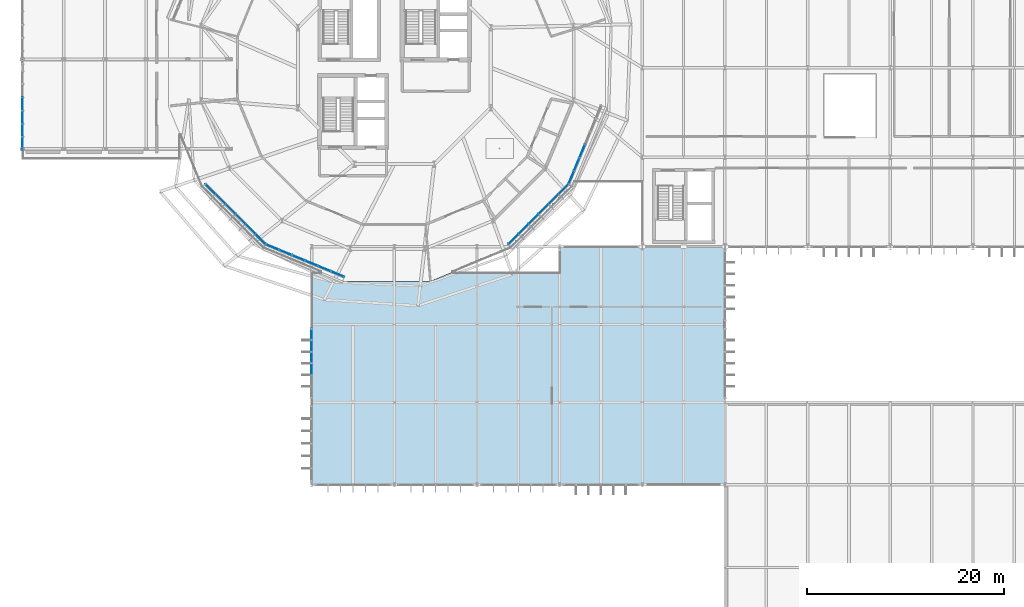
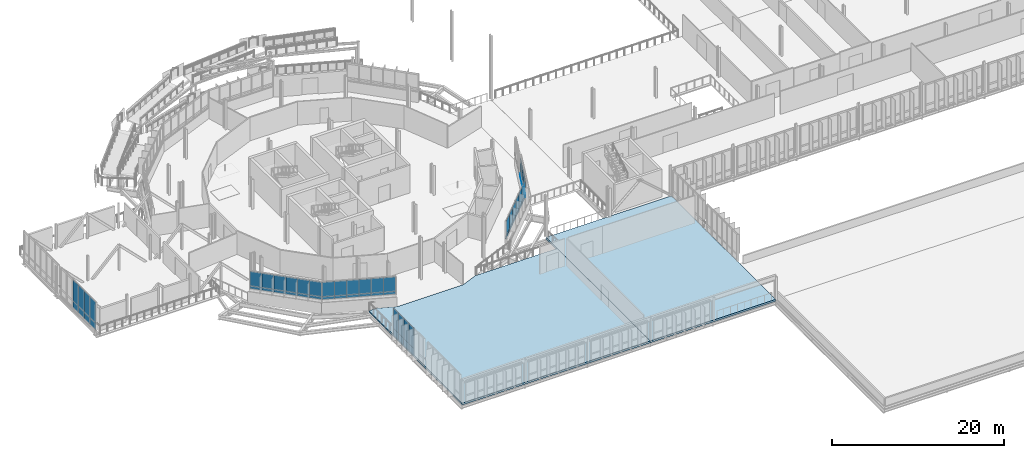
# One storey, part 74 of 107: 58 plates, 2 slabs, 6 elements without a shape of their own.
"""IFC4 building model written with IfcOpenShell, lengths in metres."""

from ifc_helpers import new_model, si_unit, derived_unit, direction, frame, origin, origin_2d, place, context, subcontext, project, spatial, polyline, rectangle, outline, extrude, material, layer, layer_set, type_object, element, aggregate, save


model = new_model("IFC4")

# Units and contexts
model_context = context("Model", 3, precision=1e-05, world=origin(), true_north=direction((0.0, 1.0)))
body_context = subcontext(model_context, "Body", "Model", "MODEL_VIEW")
ifc_project = project(units=[si_unit("LENGTHUNIT", "METRE"), si_unit("AREAUNIT", "SQUARE_METRE"), si_unit("VOLUMEUNIT", "CUBIC_METRE"), si_unit("PLANEANGLEUNIT", "RADIAN"), si_unit("MASSUNIT", "GRAM", prefix="KILO"), derived_unit("THERMALTRANSMITTANCEUNIT", [(si_unit("MASSUNIT", "GRAM", prefix="KILO"), 1), (si_unit("TIMEUNIT", "SECOND"), -3), (si_unit("THERMODYNAMICTEMPERATUREUNIT", "KELVIN"), -1)])], contexts=[model_context])

# Site, building, storey
site_placement = place(None, origin())
site = spatial("IfcSite", under=ifc_project, at=site_placement, CompositionType="ELEMENT")
building_placement = place(site_placement, origin())
building = spatial("IfcBuilding", under=site, at=building_placement, Name="Makaiwela Harbour Ferry Terminal", CompositionType="ELEMENT")
storey_placement = place(building_placement, frame((0.0, 0.0, 9.60009765625)))
storey = spatial("IfcBuildingStorey", under=building, at=storey_placement, Name="L02", CompositionType="ELEMENT", Elevation=9.60009765625)

# Curtain wall, plates
ifc_material_1 = material(Name="Marine anodised aluminium 6063-T6", Category="aluminium")
ifc_layer_1 = layer(ifc_material_1, 0.199951171875)
ifc_layer_set_1 = layer_set([ifc_layer_1], Name="Marine anodised aluminium 6063-T6")
curtain_wall_type_1 = type_object("IfcCurtainWallType", Name="ENV-CW-04", PredefinedType="USERDEFINED", material=ifc_layer_set_1)
curtain_wall_1_placement = place(storey_placement, origin())
curtain_wall_1 = element("IfcCurtainWall", 1, at=curtain_wall_1_placement, inside=storey, type_object=curtain_wall_type_1, Name="Unitised Curtain Wall CWA-025", ObjectType="UNITIZED CURTAIN WALL", PredefinedType="USERDEFINED")
ifc_material_2 = material(Name="Laminated hurricane-impact low-E insulated glazing", Category="glass")
ifc_layer_2 = layer(ifc_material_2, 0.031982421875)
ifc_layer_set_2 = layer_set([ifc_layer_2], Name="Laminated hurricane-impact low-E insulated glazing")
plate_type_1 = type_object("IfcPlateType", Name="CW-PNL-G06", PredefinedType="CURTAIN_PANEL", material=ifc_layer_set_2)
plate_1_placement = place(storey_placement, frame((19.119384765625, 55.248291015625, 1.89990234375), z_axis=(0.0, 0.0, 1.0), x_axis=(0.707106781187, -0.707106781187, 0.0)))
plate_1 = element("IfcPlate", 2, at=plate_1_placement, type_object=plate_type_1, Name="Glazed Vision Panel CWA-025-1G", PredefinedType="CURTAIN_PANEL", context=body_context, shape_type="SweptSolid", body=[
    extrude(rectangle(XDim=1.43359375, YDim=0.031982421875, at=origin_2d()), origin(), (0.0, 0.0, 1.0), 2.06005859375),
])
plate_2_placement = place(storey_placement, frame((20.13330078125, 54.234619140625, 1.89990234375), z_axis=(0.0, 0.0, 1.0), x_axis=(0.707106781187, -0.707106781187, 0.0)))
plate_2 = element("IfcPlate", 3, at=plate_2_placement, type_object=plate_type_1, Name="Glazed Vision Panel CWA-025-2G", PredefinedType="CURTAIN_PANEL", context=body_context, shape_type="SweptSolid", body=[
    extrude(rectangle(XDim=1.43359375, YDim=0.031982421875, at=origin_2d()), origin(), (0.0, 0.0, 1.0), 2.06005859375),
])
plate_3_placement = place(storey_placement, frame((21.14697265625, 53.220703125, 1.89990234375), z_axis=(0.0, 0.0, 1.0), x_axis=(0.707106781187, -0.707106781187, 0.0)))
plate_3 = element("IfcPlate", 4, at=plate_3_placement, type_object=plate_type_1, Name="Glazed Vision Panel CWA-025-3G", PredefinedType="CURTAIN_PANEL", context=body_context, shape_type="SweptSolid", body=[
    extrude(rectangle(XDim=1.43359375, YDim=0.031982421875, at=origin_2d()), origin(), (0.0, 0.0, 1.0), 2.06005859375),
])
plate_4_placement = place(storey_placement, frame((22.16064453125, 52.20703125, 1.89990234375), z_axis=(0.0, 0.0, 1.0), x_axis=(0.707106781187, -0.707106781187, 0.0)))
plate_4 = element("IfcPlate", 5, at=plate_4_placement, type_object=plate_type_1, Name="Glazed Vision Panel CWA-025-4G", PredefinedType="CURTAIN_PANEL", context=body_context, shape_type="SweptSolid", body=[
    extrude(rectangle(XDim=1.43359375, YDim=0.031982421875, at=origin_2d()), origin(), (0.0, 0.0, 1.0), 2.06005859375),
])
plate_5_placement = place(storey_placement, frame((23.174560546875, 51.193115234375, 1.89990234375), z_axis=(0.0, 0.0, 1.0), x_axis=(0.707106781187, -0.707106781187, 0.0)))
plate_5 = element("IfcPlate", 6, at=plate_5_placement, type_object=plate_type_1, Name="Glazed Vision Panel CWA-025-5G", PredefinedType="CURTAIN_PANEL", context=body_context, shape_type="SweptSolid", body=[
    extrude(rectangle(XDim=1.43359375, YDim=0.031982421875, at=origin_2d()), origin(), (0.0, 0.0, 1.0), 2.06005859375),
])
plate_6_placement = place(storey_placement, frame((24.188232421875, 50.179443359375, 1.89990234375), z_axis=(0.0, 0.0, 1.0), x_axis=(0.707106781187, -0.707106781187, 0.0)))
plate_6 = element("IfcPlate", 7, at=plate_6_placement, type_object=plate_type_1, Name="Glazed Vision Panel CWA-025-6G", PredefinedType="CURTAIN_PANEL", context=body_context, shape_type="SweptSolid", body=[
    extrude(rectangle(XDim=1.43359375, YDim=0.031982421875, at=origin_2d()), origin(), (0.0, 0.0, 1.0), 2.06005859375),
])

curtain_wall_2_placement = place(storey_placement, origin())
curtain_wall_2 = element("IfcCurtainWall", 8, at=curtain_wall_2_placement, inside=storey, type_object=curtain_wall_type_1, Name="Unitised Curtain Wall CWA-026", ObjectType="UNITIZED CURTAIN WALL", PredefinedType="USERDEFINED")
plate_7_placement = place(storey_placement, frame((25.40625, 49.365478515625, 1.89990234375), z_axis=(0.0, 0.0, 1.0), x_axis=(0.923879532511, -0.382683432365, 0.0)))
plate_7 = element("IfcPlate", 9, at=plate_7_placement, type_object=plate_type_1, Name="Glazed Vision Panel CWA-026-1G", PredefinedType="CURTAIN_PANEL", context=body_context, shape_type="SweptSolid", body=[
    extrude(rectangle(XDim=1.43359375, YDim=0.031982421875, at=origin_2d()), origin(), (0.0, 0.0, 1.0), 2.06005859375),
])
plate_8_placement = place(storey_placement, frame((26.730712890625, 48.81689453125, 1.89990234375), z_axis=(0.0, 0.0, 1.0), x_axis=(0.923879532511, -0.382683432365, 0.0)))
plate_8 = element("IfcPlate", 10, at=plate_8_placement, type_object=plate_type_1, Name="Glazed Vision Panel CWA-026-2G", PredefinedType="CURTAIN_PANEL", context=body_context, shape_type="SweptSolid", body=[
    extrude(rectangle(XDim=1.43359375, YDim=0.031982421875, at=origin_2d()), origin(), (0.0, 0.0, 1.0), 2.06005859375),
])
plate_9_placement = place(storey_placement, frame((28.055419921875, 48.268310546875, 1.89990234375), z_axis=(0.0, 0.0, 1.0), x_axis=(0.923879532511, -0.382683432365, 0.0)))
plate_9 = element("IfcPlate", 11, at=plate_9_placement, type_object=plate_type_1, Name="Glazed Vision Panel CWA-026-3G", PredefinedType="CURTAIN_PANEL", context=body_context, shape_type="SweptSolid", body=[
    extrude(rectangle(XDim=1.43359375, YDim=0.031982421875, at=origin_2d()), origin(), (0.0, 0.0, 1.0), 2.06005859375),
])
plate_10_placement = place(storey_placement, frame((29.3798828125, 47.7197265625, 1.89990234375), z_axis=(0.0, 0.0, 1.0), x_axis=(0.923879532511, -0.382683432365, 0.0)))
plate_10 = element("IfcPlate", 12, at=plate_10_placement, type_object=plate_type_1, Name="Glazed Vision Panel CWA-026-4G", PredefinedType="CURTAIN_PANEL", context=body_context, shape_type="SweptSolid", body=[
    extrude(rectangle(XDim=1.43359375, YDim=0.031982421875, at=origin_2d()), origin(), (0.0, 0.0, 1.0), 2.06005859375),
])
plate_11_placement = place(storey_placement, frame((30.70458984375, 47.171142578125, 1.89990234375), z_axis=(0.0, 0.0, 1.0), x_axis=(0.923879532511, -0.382683432365, 0.0)))
plate_11 = element("IfcPlate", 13, at=plate_11_placement, type_object=plate_type_1, Name="Glazed Vision Panel CWA-026-5G", PredefinedType="CURTAIN_PANEL", context=body_context, shape_type="SweptSolid", body=[
    extrude(rectangle(XDim=1.43359375, YDim=0.031982421875, at=origin_2d()), origin(), (0.0, 0.0, 1.0), 2.06005859375),
])
plate_12_placement = place(storey_placement, frame((32.029052734375, 46.622314453125, 1.89990234375), z_axis=(0.0, 0.0, 1.0), x_axis=(0.923879532511, -0.382683432365, 0.0)))
plate_12 = element("IfcPlate", 14, at=plate_12_placement, type_object=plate_type_1, Name="Glazed Vision Panel CWA-026-6G", PredefinedType="CURTAIN_PANEL", context=body_context, shape_type="SweptSolid", body=[
    extrude(rectangle(XDim=1.43359375, YDim=0.031982421875, at=origin_2d()), origin(), (0.0, 0.0, 1.0), 2.06005859375),
])

curtain_wall_3_placement = place(storey_placement, origin())
curtain_wall_3 = element("IfcCurtainWall", 15, at=curtain_wall_3_placement, inside=storey, type_object=curtain_wall_type_1, Name="Unitised Curtain Wall CWA-027", ObjectType="UNITIZED CURTAIN WALL", PredefinedType="USERDEFINED")
plate_13_placement = place(storey_placement, frame((49.911865234375, 50.179443359375, 1.89990234375), z_axis=(0.0, 0.0, 1.0), x_axis=(0.707106781187, 0.707106781187, 0.0)))
plate_13 = element("IfcPlate", 16, at=plate_13_placement, type_object=plate_type_1, Name="Glazed Vision Panel CWA-027-1G", PredefinedType="CURTAIN_PANEL", context=body_context, shape_type="SweptSolid", body=[
    extrude(rectangle(XDim=1.43359375, YDim=0.031982421875, at=origin_2d()), origin(), (0.0, 0.0, 1.0), 2.06005859375),
])
plate_14_placement = place(storey_placement, frame((50.925537109375, 51.193115234375, 1.89990234375), z_axis=(0.0, 0.0, 1.0), x_axis=(0.707106781187, 0.707106781187, 0.0)))
plate_14 = element("IfcPlate", 17, at=plate_14_placement, type_object=plate_type_1, Name="Glazed Vision Panel CWA-027-2G", PredefinedType="CURTAIN_PANEL", context=body_context, shape_type="SweptSolid", body=[
    extrude(rectangle(XDim=1.43359375, YDim=0.031982421875, at=origin_2d()), origin(), (0.0, 0.0, 1.0), 2.06005859375),
])
plate_15_placement = place(storey_placement, frame((51.939208984375, 52.20703125, 1.89990234375), z_axis=(0.0, 0.0, 1.0), x_axis=(0.707106781187, 0.707106781187, 0.0)))
plate_15 = element("IfcPlate", 18, at=plate_15_placement, type_object=plate_type_1, Name="Glazed Vision Panel CWA-027-3G", PredefinedType="CURTAIN_PANEL", context=body_context, shape_type="SweptSolid", body=[
    extrude(rectangle(XDim=1.43359375, YDim=0.031982421875, at=origin_2d()), origin(), (0.0, 0.0, 1.0), 2.06005859375),
])
plate_16_placement = place(storey_placement, frame((52.952880859375, 53.220703125, 1.89990234375), z_axis=(0.0, 0.0, 1.0), x_axis=(0.707106781187, 0.707106781187, 0.0)))
plate_16 = element("IfcPlate", 19, at=plate_16_placement, type_object=plate_type_1, Name="Glazed Vision Panel CWA-027-4G", PredefinedType="CURTAIN_PANEL", context=body_context, shape_type="SweptSolid", body=[
    extrude(rectangle(XDim=1.43359375, YDim=0.031982421875, at=origin_2d()), origin(), (0.0, 0.0, 1.0), 2.06005859375),
])
plate_17_placement = place(storey_placement, frame((53.966796875, 54.234619140625, 1.89990234375), z_axis=(0.0, 0.0, 1.0), x_axis=(0.707106781187, 0.707106781187, 0.0)))
plate_17 = element("IfcPlate", 20, at=plate_17_placement, type_object=plate_type_1, Name="Glazed Vision Panel CWA-027-5G", PredefinedType="CURTAIN_PANEL", context=body_context, shape_type="SweptSolid", body=[
    extrude(rectangle(XDim=1.43359375, YDim=0.031982421875, at=origin_2d()), origin(), (0.0, 0.0, 1.0), 2.06005859375),
])
plate_18_placement = place(storey_placement, frame((54.98046875, 55.248291015625, 1.89990234375), z_axis=(0.0, 0.0, 1.0), x_axis=(0.707106781187, 0.707106781187, 0.0)))
plate_18 = element("IfcPlate", 21, at=plate_18_placement, type_object=plate_type_1, Name="Glazed Vision Panel CWA-027-6G", PredefinedType="CURTAIN_PANEL", context=body_context, shape_type="SweptSolid", body=[
    extrude(rectangle(XDim=1.43359375, YDim=0.031982421875, at=origin_2d()), origin(), (0.0, 0.0, 1.0), 2.06005859375),
])

curtain_wall_4_placement = place(storey_placement, origin())
curtain_wall_4 = element("IfcCurtainWall", 22, at=curtain_wall_4_placement, inside=storey, type_object=curtain_wall_type_1, Name="Unitised Curtain Wall CWA-028", ObjectType="UNITIZED CURTAIN WALL", PredefinedType="USERDEFINED")
plate_19_placement = place(storey_placement, frame((55.79443359375, 56.46630859375, 1.89990234375), z_axis=(0.0, 0.0, 1.0), x_axis=(0.382683432365, 0.923879532511, 0.0)))
plate_19 = element("IfcPlate", 23, at=plate_19_placement, type_object=plate_type_1, Name="Glazed Vision Panel CWA-028-1G", PredefinedType="CURTAIN_PANEL", context=body_context, shape_type="SweptSolid", body=[
    extrude(rectangle(XDim=1.43359375, YDim=0.031982421875, at=origin_2d()), origin(), (0.0, 0.0, 1.0), 2.06005859375),
])
plate_20_placement = place(storey_placement, frame((56.343017578125, 57.790771484375, 1.89990234375), z_axis=(0.0, 0.0, 1.0), x_axis=(0.382683432365, 0.923879532511, 0.0)))
plate_20 = element("IfcPlate", 24, at=plate_20_placement, type_object=plate_type_1, Name="Glazed Vision Panel CWA-028-2G", PredefinedType="CURTAIN_PANEL", context=body_context, shape_type="SweptSolid", body=[
    extrude(rectangle(XDim=1.43359375, YDim=0.031982421875, at=origin_2d()), origin(), (0.0, 0.0, 1.0), 2.06005859375),
])
plate_21_placement = place(storey_placement, frame((56.8916015625, 59.115478515625, 1.89990234375), z_axis=(0.0, 0.0, 1.0), x_axis=(0.382683432365, 0.923879532511, 0.0)))
plate_21 = element("IfcPlate", 25, at=plate_21_placement, type_object=plate_type_1, Name="Glazed Vision Panel CWA-028-3G", PredefinedType="CURTAIN_PANEL", context=body_context, shape_type="SweptSolid", body=[
    extrude(rectangle(XDim=1.43359375, YDim=0.031982421875, at=origin_2d()), origin(), (0.0, 0.0, 1.0), 2.06005859375),
])

ifc_layer_3 = layer(ifc_material_1, 0.199951171875)
ifc_layer_set_3 = layer_set([ifc_layer_3], Name="Marine anodised aluminium 6063-T6")
curtain_wall_type_2 = type_object("IfcCurtainWallType", Name="ENV-CW-14", PredefinedType="USERDEFINED", material=ifc_layer_set_3)
curtain_wall_5_placement = place(storey_placement, origin())
curtain_wall_5 = element("IfcCurtainWall", 26, at=curtain_wall_5_placement, inside=storey, type_object=curtain_wall_type_2, Name="Unitised Curtain Wall CWA-119", ObjectType="UNITIZED CURTAIN WALL", PredefinedType="USERDEFINED")
ifc_layer_4 = layer(ifc_material_2, 0.031982421875)
ifc_layer_set_4 = layer_set([ifc_layer_4], Name="Laminated hurricane-impact low-E insulated glazing")
plate_type_2 = type_object("IfcPlateType", Name="CW-PNL-G19", PredefinedType="CURTAIN_PANEL", material=ifc_layer_set_4)
plate_22_placement = place(storey_placement, frame((29.39990234375, 36.961669921875, 0.949951171875), z_axis=(0.0, 0.0, 1.0), x_axis=(0.0, 1.0, 0.0)))
plate_22 = element("IfcPlate", 27, at=plate_22_placement, type_object=plate_type_2, Name="Glazed Vision Panel CWA-119-3G", PredefinedType="CURTAIN_PANEL", context=body_context, shape_type="SweptSolid", body=[
    extrude(rectangle(XDim=1.1767578125, YDim=0.031982421875, at=origin_2d()), origin(), (0.0, 0.0, 1.0), 2.89990234375),
])
plate_23_placement = place(storey_placement, frame((29.39990234375, 38.13818359375, 0.949951171875), z_axis=(0.0, 0.0, 1.0), x_axis=(0.0, 1.0, 0.0)))
plate_23 = element("IfcPlate", 28, at=plate_23_placement, type_object=plate_type_2, Name="Glazed Vision Panel CWA-119-4G", PredefinedType="CURTAIN_PANEL", context=body_context, shape_type="SweptSolid", body=[
    extrude(rectangle(XDim=1.1767578125, YDim=0.031982421875, at=origin_2d()), origin(), (0.0, 0.0, 1.0), 2.89990234375),
])
plate_24_placement = place(storey_placement, frame((29.39990234375, 39.31494140625, 0.949951171875), z_axis=(0.0, 0.0, 1.0), x_axis=(0.0, 1.0, 0.0)))
plate_24 = element("IfcPlate", 29, at=plate_24_placement, type_object=plate_type_2, Name="Glazed Vision Panel CWA-119-5G", PredefinedType="CURTAIN_PANEL", context=body_context, shape_type="SweptSolid", body=[
    extrude(rectangle(XDim=1.1767578125, YDim=0.031982421875, at=origin_2d()), origin(), (0.0, 0.0, 1.0), 2.89990234375),
])
plate_25_placement = place(storey_placement, frame((29.39990234375, 40.49169921875, 0.949951171875), z_axis=(0.0, 0.0, 1.0), x_axis=(0.0, 1.0, 0.0)))
plate_25 = element("IfcPlate", 30, at=plate_25_placement, type_object=plate_type_2, Name="Glazed Vision Panel CWA-119-6G", PredefinedType="CURTAIN_PANEL", context=body_context, shape_type="SweptSolid", body=[
    extrude(rectangle(XDim=1.1767578125, YDim=0.031982421875, at=origin_2d()), origin(), (0.0, 0.0, 1.0), 2.89990234375),
])

ifc_layer_5 = layer(ifc_material_1, 0.199951171875)
ifc_layer_set_5 = layer_set([ifc_layer_5], Name="Marine anodised aluminium 6063-T6")
curtain_wall_type_3 = type_object("IfcCurtainWallType", Name="ENV-CW-23", PredefinedType="USERDEFINED", material=ifc_layer_set_5)
curtain_wall_6_placement = place(storey_placement, origin())
curtain_wall_6 = element("IfcCurtainWall", 31, at=curtain_wall_6_placement, inside=storey, type_object=curtain_wall_type_3, Name="Unitised Curtain Wall CWA-138", ObjectType="UNITIZED CURTAIN WALL", PredefinedType="USERDEFINED")
ifc_layer_6 = layer(ifc_material_2, 0.031982421875)
ifc_layer_set_6 = layer_set([ifc_layer_6], Name="Laminated hurricane-impact low-E insulated glazing")
plate_type_3 = type_object("IfcPlateType", Name="CW-PNL-G29", PredefinedType="CURTAIN_PANEL", material=ifc_layer_set_6)
plate_26_placement = place(storey_placement, frame((0.0, 59.8974609375, 0.949951171875), z_axis=(0.0, 0.0, 1.0), x_axis=(0.0, 1.0, 0.0)))
plate_26 = element("IfcPlate", 32, at=plate_26_placement, type_object=plate_type_3, Name="Glazed Vision Panel CWA-138-1G", PredefinedType="CURTAIN_PANEL", context=body_context, shape_type="SweptSolid", body=[
    extrude(rectangle(XDim=1.3349609375, YDim=0.031982421875, at=origin_2d()), origin(), (0.0, 0.0, 1.0), 3.0),
])
plate_27_placement = place(storey_placement, frame((0.0, 61.232421875, 0.949951171875), z_axis=(0.0, 0.0, 1.0), x_axis=(0.0, 1.0, 0.0)))
plate_27 = element("IfcPlate", 33, at=plate_27_placement, type_object=plate_type_3, Name="Glazed Vision Panel CWA-138-2G", PredefinedType="CURTAIN_PANEL", context=body_context, shape_type="SweptSolid", body=[
    extrude(rectangle(XDim=1.3349609375, YDim=0.031982421875, at=origin_2d()), origin(), (0.0, 0.0, 1.0), 3.0),
])
plate_28_placement = place(storey_placement, frame((0.0, 62.5673828125, 0.949951171875), z_axis=(0.0, 0.0, 1.0), x_axis=(0.0, 1.0, 0.0)))
plate_28 = element("IfcPlate", 34, at=plate_28_placement, type_object=plate_type_3, Name="Glazed Vision Panel CWA-138-3G", PredefinedType="CURTAIN_PANEL", context=body_context, shape_type="SweptSolid", body=[
    extrude(rectangle(XDim=1.3349609375, YDim=0.031982421875, at=origin_2d()), origin(), (0.0, 0.0, 1.0), 3.0),
])
plate_29_placement = place(storey_placement, frame((0.0, 63.902587890625, 0.949951171875), z_axis=(0.0, 0.0, 1.0), x_axis=(0.0, 1.0, 0.0)))
plate_29 = element("IfcPlate", 35, at=plate_29_placement, type_object=plate_type_3, Name="Glazed Vision Panel CWA-138-4G", PredefinedType="CURTAIN_PANEL", context=body_context, shape_type="SweptSolid", body=[
    extrude(rectangle(XDim=1.3349609375, YDim=0.031982421875, at=origin_2d()), origin(), (0.0, 0.0, 1.0), 3.0),
])

# Plate
ifc_material_3 = material(Name="Insulated marine aluminium spandrel panel", Category="aluminium")
ifc_layer_7 = layer(ifc_material_3, 0.048095703125)
ifc_layer_set_7 = layer_set([ifc_layer_7], Name="Insulated marine aluminium spandrel panel")
plate_type_4 = type_object("IfcPlateType", Name="CW-PNL-S04", PredefinedType="CURTAIN_PANEL", material=ifc_layer_set_7)
plate_30_placement = place(storey_placement, frame((19.119384765625, 55.248291015625, 1.47998046875), z_axis=(0.0, 0.0, 1.0), x_axis=(0.707106781187, -0.707106781187, 0.0)))
plate_30 = element("IfcPlate", 36, at=plate_30_placement, type_object=plate_type_4, Name="Spandrel Panel CWA-025-1S", PredefinedType="CURTAIN_PANEL", context=body_context, shape_type="SweptSolid", body=[
    extrude(rectangle(XDim=1.43359375, YDim=0.048095703125, at=origin_2d()), origin(), (0.0, 0.0, 1.0), 0.419921875),
])

plate_31_placement = place(storey_placement, frame((20.13330078125, 54.234619140625, 1.47998046875), z_axis=(0.0, 0.0, 1.0), x_axis=(0.707106781187, -0.707106781187, 0.0)))
plate_31 = element("IfcPlate", 37, at=plate_31_placement, type_object=plate_type_4, Name="Spandrel Panel CWA-025-2S", PredefinedType="CURTAIN_PANEL", context=body_context, shape_type="SweptSolid", body=[
    extrude(rectangle(XDim=1.43359375, YDim=0.048095703125, at=origin_2d()), origin(), (0.0, 0.0, 1.0), 0.419921875),
])

plate_32_placement = place(storey_placement, frame((21.14697265625, 53.220703125, 1.47998046875), z_axis=(0.0, 0.0, 1.0), x_axis=(0.707106781187, -0.707106781187, 0.0)))
plate_32 = element("IfcPlate", 38, at=plate_32_placement, type_object=plate_type_4, Name="Spandrel Panel CWA-025-3S", PredefinedType="CURTAIN_PANEL", context=body_context, shape_type="SweptSolid", body=[
    extrude(rectangle(XDim=1.43359375, YDim=0.048095703125, at=origin_2d()), origin(), (0.0, 0.0, 1.0), 0.419921875),
])

plate_33_placement = place(storey_placement, frame((22.16064453125, 52.20703125, 1.47998046875), z_axis=(0.0, 0.0, 1.0), x_axis=(0.707106781187, -0.707106781187, 0.0)))
plate_33 = element("IfcPlate", 39, at=plate_33_placement, type_object=plate_type_4, Name="Spandrel Panel CWA-025-4S", PredefinedType="CURTAIN_PANEL", context=body_context, shape_type="SweptSolid", body=[
    extrude(rectangle(XDim=1.43359375, YDim=0.048095703125, at=origin_2d()), origin(), (0.0, 0.0, 1.0), 0.419921875),
])

plate_34_placement = place(storey_placement, frame((23.174560546875, 51.193115234375, 1.47998046875), z_axis=(0.0, 0.0, 1.0), x_axis=(0.707106781187, -0.707106781187, 0.0)))
plate_34 = element("IfcPlate", 40, at=plate_34_placement, type_object=plate_type_4, Name="Spandrel Panel CWA-025-5S", PredefinedType="CURTAIN_PANEL", context=body_context, shape_type="SweptSolid", body=[
    extrude(rectangle(XDim=1.43359375, YDim=0.048095703125, at=origin_2d()), origin(), (0.0, 0.0, 1.0), 0.419921875),
])

plate_35_placement = place(storey_placement, frame((24.188232421875, 50.179443359375, 1.47998046875), z_axis=(0.0, 0.0, 1.0), x_axis=(0.707106781187, -0.707106781187, 0.0)))
plate_35 = element("IfcPlate", 41, at=plate_35_placement, type_object=plate_type_4, Name="Spandrel Panel CWA-025-6S", PredefinedType="CURTAIN_PANEL", context=body_context, shape_type="SweptSolid", body=[
    extrude(rectangle(XDim=1.43359375, YDim=0.048095703125, at=origin_2d()), origin(), (0.0, 0.0, 1.0), 0.419921875),
])

aggregate(curtain_wall_1, [plate_30, plate_1, plate_31, plate_2, plate_32, plate_3, plate_33, plate_4, plate_34, plate_5, plate_35, plate_6])

plate_36_placement = place(storey_placement, frame((25.40625, 49.365478515625, 1.47998046875), z_axis=(0.0, 0.0, 1.0), x_axis=(0.923879532511, -0.382683432365, 0.0)))
plate_36 = element("IfcPlate", 42, at=plate_36_placement, type_object=plate_type_4, Name="Spandrel Panel CWA-026-1S", PredefinedType="CURTAIN_PANEL", context=body_context, shape_type="SweptSolid", body=[
    extrude(rectangle(XDim=1.43359375, YDim=0.048095703125, at=origin_2d()), origin(), (0.0, 0.0, 1.0), 0.419921875),
])

plate_37_placement = place(storey_placement, frame((26.730712890625, 48.81689453125, 1.47998046875), z_axis=(0.0, 0.0, 1.0), x_axis=(0.923879532511, -0.382683432365, 0.0)))
plate_37 = element("IfcPlate", 43, at=plate_37_placement, type_object=plate_type_4, Name="Spandrel Panel CWA-026-2S", PredefinedType="CURTAIN_PANEL", context=body_context, shape_type="SweptSolid", body=[
    extrude(rectangle(XDim=1.43359375, YDim=0.048095703125, at=origin_2d()), origin(), (0.0, 0.0, 1.0), 0.419921875),
])

plate_38_placement = place(storey_placement, frame((28.055419921875, 48.268310546875, 1.47998046875), z_axis=(0.0, 0.0, 1.0), x_axis=(0.923879532511, -0.382683432365, 0.0)))
plate_38 = element("IfcPlate", 44, at=plate_38_placement, type_object=plate_type_4, Name="Spandrel Panel CWA-026-3S", PredefinedType="CURTAIN_PANEL", context=body_context, shape_type="SweptSolid", body=[
    extrude(rectangle(XDim=1.43359375, YDim=0.048095703125, at=origin_2d()), origin(), (0.0, 0.0, 1.0), 0.419921875),
])

plate_39_placement = place(storey_placement, frame((29.3798828125, 47.7197265625, 1.47998046875), z_axis=(0.0, 0.0, 1.0), x_axis=(0.923879532511, -0.382683432365, 0.0)))
plate_39 = element("IfcPlate", 45, at=plate_39_placement, type_object=plate_type_4, Name="Spandrel Panel CWA-026-4S", PredefinedType="CURTAIN_PANEL", context=body_context, shape_type="SweptSolid", body=[
    extrude(rectangle(XDim=1.43359375, YDim=0.048095703125, at=origin_2d()), origin(), (0.0, 0.0, 1.0), 0.419921875),
])

plate_40_placement = place(storey_placement, frame((30.70458984375, 47.171142578125, 1.47998046875), z_axis=(0.0, 0.0, 1.0), x_axis=(0.923879532511, -0.382683432365, 0.0)))
plate_40 = element("IfcPlate", 46, at=plate_40_placement, type_object=plate_type_4, Name="Spandrel Panel CWA-026-5S", PredefinedType="CURTAIN_PANEL", context=body_context, shape_type="SweptSolid", body=[
    extrude(rectangle(XDim=1.43359375, YDim=0.048095703125, at=origin_2d()), origin(), (0.0, 0.0, 1.0), 0.419921875),
])

plate_41_placement = place(storey_placement, frame((32.029052734375, 46.622314453125, 1.47998046875), z_axis=(0.0, 0.0, 1.0), x_axis=(0.923879532511, -0.382683432365, 0.0)))
plate_41 = element("IfcPlate", 47, at=plate_41_placement, type_object=plate_type_4, Name="Spandrel Panel CWA-026-6S", PredefinedType="CURTAIN_PANEL", context=body_context, shape_type="SweptSolid", body=[
    extrude(rectangle(XDim=1.43359375, YDim=0.048095703125, at=origin_2d()), origin(), (0.0, 0.0, 1.0), 0.419921875),
])

aggregate(curtain_wall_2, [plate_36, plate_7, plate_37, plate_8, plate_38, plate_9, plate_39, plate_10, plate_40, plate_11, plate_41, plate_12])

plate_42_placement = place(storey_placement, frame((49.911865234375, 50.179443359375, 1.47998046875), z_axis=(0.0, 0.0, 1.0), x_axis=(0.707106781187, 0.707106781187, 0.0)))
plate_42 = element("IfcPlate", 48, at=plate_42_placement, type_object=plate_type_4, Name="Spandrel Panel CWA-027-1S", PredefinedType="CURTAIN_PANEL", context=body_context, shape_type="SweptSolid", body=[
    extrude(rectangle(XDim=1.43359375, YDim=0.048095703125, at=origin_2d()), origin(), (0.0, 0.0, 1.0), 0.419921875),
])

plate_43_placement = place(storey_placement, frame((50.925537109375, 51.193115234375, 1.47998046875), z_axis=(0.0, 0.0, 1.0), x_axis=(0.707106781187, 0.707106781187, 0.0)))
plate_43 = element("IfcPlate", 49, at=plate_43_placement, type_object=plate_type_4, Name="Spandrel Panel CWA-027-2S", PredefinedType="CURTAIN_PANEL", context=body_context, shape_type="SweptSolid", body=[
    extrude(rectangle(XDim=1.43359375, YDim=0.048095703125, at=origin_2d()), origin(), (0.0, 0.0, 1.0), 0.419921875),
])

plate_44_placement = place(storey_placement, frame((51.939208984375, 52.20703125, 1.47998046875), z_axis=(0.0, 0.0, 1.0), x_axis=(0.707106781187, 0.707106781187, 0.0)))
plate_44 = element("IfcPlate", 50, at=plate_44_placement, type_object=plate_type_4, Name="Spandrel Panel CWA-027-3S", PredefinedType="CURTAIN_PANEL", context=body_context, shape_type="SweptSolid", body=[
    extrude(rectangle(XDim=1.43359375, YDim=0.048095703125, at=origin_2d()), origin(), (0.0, 0.0, 1.0), 0.419921875),
])

plate_45_placement = place(storey_placement, frame((52.952880859375, 53.220703125, 1.47998046875), z_axis=(0.0, 0.0, 1.0), x_axis=(0.707106781187, 0.707106781187, 0.0)))
plate_45 = element("IfcPlate", 51, at=plate_45_placement, type_object=plate_type_4, Name="Spandrel Panel CWA-027-4S", PredefinedType="CURTAIN_PANEL", context=body_context, shape_type="SweptSolid", body=[
    extrude(rectangle(XDim=1.43359375, YDim=0.048095703125, at=origin_2d()), origin(), (0.0, 0.0, 1.0), 0.419921875),
])

plate_46_placement = place(storey_placement, frame((53.966796875, 54.234619140625, 1.47998046875), z_axis=(0.0, 0.0, 1.0), x_axis=(0.707106781187, 0.707106781187, 0.0)))
plate_46 = element("IfcPlate", 52, at=plate_46_placement, type_object=plate_type_4, Name="Spandrel Panel CWA-027-5S", PredefinedType="CURTAIN_PANEL", context=body_context, shape_type="SweptSolid", body=[
    extrude(rectangle(XDim=1.43359375, YDim=0.048095703125, at=origin_2d()), origin(), (0.0, 0.0, 1.0), 0.419921875),
])

plate_47_placement = place(storey_placement, frame((54.98046875, 55.248291015625, 1.47998046875), z_axis=(0.0, 0.0, 1.0), x_axis=(0.707106781187, 0.707106781187, 0.0)))
plate_47 = element("IfcPlate", 53, at=plate_47_placement, type_object=plate_type_4, Name="Spandrel Panel CWA-027-6S", PredefinedType="CURTAIN_PANEL", context=body_context, shape_type="SweptSolid", body=[
    extrude(rectangle(XDim=1.43359375, YDim=0.048095703125, at=origin_2d()), origin(), (0.0, 0.0, 1.0), 0.419921875),
])

aggregate(curtain_wall_3, [plate_42, plate_13, plate_43, plate_14, plate_44, plate_15, plate_45, plate_16, plate_46, plate_17, plate_47, plate_18])

plate_48_placement = place(storey_placement, frame((55.79443359375, 56.46630859375, 1.47998046875), z_axis=(0.0, 0.0, 1.0), x_axis=(0.382683432365, 0.923879532511, 0.0)))
plate_48 = element("IfcPlate", 54, at=plate_48_placement, type_object=plate_type_4, Name="Spandrel Panel CWA-028-1S", PredefinedType="CURTAIN_PANEL", context=body_context, shape_type="SweptSolid", body=[
    extrude(rectangle(XDim=1.43359375, YDim=0.048095703125, at=origin_2d()), origin(), (0.0, 0.0, 1.0), 0.419921875),
])

plate_49_placement = place(storey_placement, frame((56.343017578125, 57.790771484375, 1.47998046875), z_axis=(0.0, 0.0, 1.0), x_axis=(0.382683432365, 0.923879532511, 0.0)))
plate_49 = element("IfcPlate", 55, at=plate_49_placement, type_object=plate_type_4, Name="Spandrel Panel CWA-028-2S", PredefinedType="CURTAIN_PANEL", context=body_context, shape_type="SweptSolid", body=[
    extrude(rectangle(XDim=1.43359375, YDim=0.048095703125, at=origin_2d()), origin(), (0.0, 0.0, 1.0), 0.419921875),
])

plate_50_placement = place(storey_placement, frame((56.8916015625, 59.115478515625, 1.47998046875), z_axis=(0.0, 0.0, 1.0), x_axis=(0.382683432365, 0.923879532511, 0.0)))
plate_50 = element("IfcPlate", 56, at=plate_50_placement, type_object=plate_type_4, Name="Spandrel Panel CWA-028-3S", PredefinedType="CURTAIN_PANEL", context=body_context, shape_type="SweptSolid", body=[
    extrude(rectangle(XDim=1.43359375, YDim=0.048095703125, at=origin_2d()), origin(), (0.0, 0.0, 1.0), 0.419921875),
])

aggregate(curtain_wall_4, [plate_48, plate_19, plate_49, plate_20, plate_50, plate_21])

ifc_layer_8 = layer(ifc_material_3, 0.048095703125)
ifc_layer_set_8 = layer_set([ifc_layer_8], Name="Insulated marine aluminium spandrel panel")
plate_type_5 = type_object("IfcPlateType", Name="CW-PNL-S16", PredefinedType="CURTAIN_PANEL", material=ifc_layer_set_8)
plate_51_placement = place(storey_placement, frame((29.39990234375, 36.961669921875, 0.0), z_axis=(0.0, 0.0, 1.0), x_axis=(0.0, 1.0, 0.0)))
plate_51 = element("IfcPlate", 57, at=plate_51_placement, type_object=plate_type_5, Name="Spandrel Panel CWA-119-3S", PredefinedType="CURTAIN_PANEL", context=body_context, shape_type="SweptSolid", body=[
    extrude(rectangle(XDim=1.1767578125, YDim=0.048095703125, at=origin_2d()), origin(), (0.0, 0.0, 1.0), 0.949951171875),
])

plate_52_placement = place(storey_placement, frame((29.39990234375, 38.13818359375, 0.0), z_axis=(0.0, 0.0, 1.0), x_axis=(0.0, 1.0, 0.0)))
plate_52 = element("IfcPlate", 58, at=plate_52_placement, type_object=plate_type_5, Name="Spandrel Panel CWA-119-4S", PredefinedType="CURTAIN_PANEL", context=body_context, shape_type="SweptSolid", body=[
    extrude(rectangle(XDim=1.1767578125, YDim=0.048095703125, at=origin_2d()), origin(), (0.0, 0.0, 1.0), 0.949951171875),
])

plate_53_placement = place(storey_placement, frame((29.39990234375, 39.31494140625, 0.0), z_axis=(0.0, 0.0, 1.0), x_axis=(0.0, 1.0, 0.0)))
plate_53 = element("IfcPlate", 59, at=plate_53_placement, type_object=plate_type_5, Name="Spandrel Panel CWA-119-5S", PredefinedType="CURTAIN_PANEL", context=body_context, shape_type="SweptSolid", body=[
    extrude(rectangle(XDim=1.1767578125, YDim=0.048095703125, at=origin_2d()), origin(), (0.0, 0.0, 1.0), 0.949951171875),
])

plate_54_placement = place(storey_placement, frame((29.39990234375, 40.49169921875, 0.0), z_axis=(0.0, 0.0, 1.0), x_axis=(0.0, 1.0, 0.0)))
plate_54 = element("IfcPlate", 60, at=plate_54_placement, type_object=plate_type_5, Name="Spandrel Panel CWA-119-6S", PredefinedType="CURTAIN_PANEL", context=body_context, shape_type="SweptSolid", body=[
    extrude(rectangle(XDim=1.1767578125, YDim=0.048095703125, at=origin_2d()), origin(), (0.0, 0.0, 1.0), 0.949951171875),
])

aggregate(curtain_wall_5, [plate_51, plate_22, plate_52, plate_23, plate_53, plate_24, plate_54, plate_25])

ifc_layer_9 = layer(ifc_material_3, 0.048095703125)
ifc_layer_set_9 = layer_set([ifc_layer_9], Name="Insulated marine aluminium spandrel panel")
plate_type_6 = type_object("IfcPlateType", Name="CW-PNL-S27", PredefinedType="CURTAIN_PANEL", material=ifc_layer_set_9)
plate_55_placement = place(storey_placement, frame((0.0, 59.8974609375, 0.0), z_axis=(0.0, 0.0, 1.0), x_axis=(0.0, 1.0, 0.0)))
plate_55 = element("IfcPlate", 61, at=plate_55_placement, type_object=plate_type_6, Name="Spandrel Panel CWA-138-1S", PredefinedType="CURTAIN_PANEL", context=body_context, shape_type="SweptSolid", body=[
    extrude(rectangle(XDim=1.3349609375, YDim=0.048095703125, at=origin_2d()), origin(), (0.0, 0.0, 1.0), 0.949951171875),
])

plate_56_placement = place(storey_placement, frame((0.0, 61.232421875, 0.0), z_axis=(0.0, 0.0, 1.0), x_axis=(0.0, 1.0, 0.0)))
plate_56 = element("IfcPlate", 62, at=plate_56_placement, type_object=plate_type_6, Name="Spandrel Panel CWA-138-2S", PredefinedType="CURTAIN_PANEL", context=body_context, shape_type="SweptSolid", body=[
    extrude(rectangle(XDim=1.3349609375, YDim=0.048095703125, at=origin_2d()), origin(), (0.0, 0.0, 1.0), 0.949951171875),
])

plate_57_placement = place(storey_placement, frame((0.0, 62.5673828125, 0.0), z_axis=(0.0, 0.0, 1.0), x_axis=(0.0, 1.0, 0.0)))
plate_57 = element("IfcPlate", 63, at=plate_57_placement, type_object=plate_type_6, Name="Spandrel Panel CWA-138-3S", PredefinedType="CURTAIN_PANEL", context=body_context, shape_type="SweptSolid", body=[
    extrude(rectangle(XDim=1.3349609375, YDim=0.048095703125, at=origin_2d()), origin(), (0.0, 0.0, 1.0), 0.949951171875),
])

plate_58_placement = place(storey_placement, frame((0.0, 63.902587890625, 0.0), z_axis=(0.0, 0.0, 1.0), x_axis=(0.0, 1.0, 0.0)))
plate_58 = element("IfcPlate", 64, at=plate_58_placement, type_object=plate_type_6, Name="Spandrel Panel CWA-138-4S", PredefinedType="CURTAIN_PANEL", context=body_context, shape_type="SweptSolid", body=[
    extrude(rectangle(XDim=1.3349609375, YDim=0.048095703125, at=origin_2d()), origin(), (0.0, 0.0, 1.0), 0.949951171875),
])

aggregate(curtain_wall_6, [plate_55, plate_26, plate_56, plate_27, plate_57, plate_28, plate_58, plate_29])

# Slabs
ifc_material_4 = material(Name="Concrete f'c 35 MPa (5000 psi)", Category="concrete")
ifc_layer_10 = layer(ifc_material_4, 0.260009765625)
ifc_layer_set_10 = layer_set([ifc_layer_10], Name="Concrete f'c 35 MPa (5000 psi)")
slab_type = type_object("IfcSlabType", Name="SLB-FLR-260", PredefinedType="FLOOR", material=ifc_layer_set_10)
slab_1_placement = place(storey_placement, frame((0.0, 0.0, -0.260009765625)))
element("IfcSlab", 65, at=slab_1_placement, inside=storey, type_object=slab_type, Name="Slab SLB-029", PredefinedType="FLOOR", context=body_context, shape_type="SweptSolid", body=[
    extrude(outline(polyline([(43.658447265625, 46.800048828125), (41.46875, 45.893310546875), (32.63037109375, 45.893310546875), (30.441650390625, 46.800048828125), (29.39990234375, 46.800048828125), (29.39990234375, 25.199951171875), (54.60009765625, 25.199951171875), (54.60009765625, 46.800048828125), (43.658447265625, 46.800048828125)])), origin(), (0.0, 0.0, 1.0), 0.260009765625),
])
slab_2_placement = place(storey_placement, frame((0.0, 0.0, -0.260009765625)))
element("IfcSlab", 66, at=slab_2_placement, inside=storey, type_object=slab_type, Name="Slab SLB-030", PredefinedType="FLOOR", context=body_context, shape_type="SweptSolid", body=[
    extrude(outline(polyline([(54.60205078125, 46.800048828125), (54.60205078125, 25.199951171875), (71.39990234375, 25.199951171875), (71.39990234375, 49.39990234375), (54.60009765625, 49.39990234375), (54.60205078125, 46.800048828125)])), origin(), (0.0, 0.0, 1.0), 0.260009765625),
])

save(model, "model.ifc")
